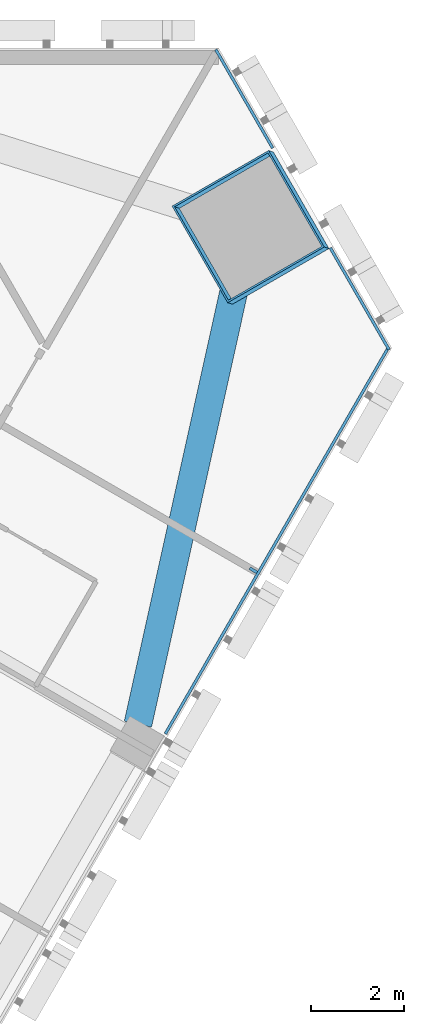
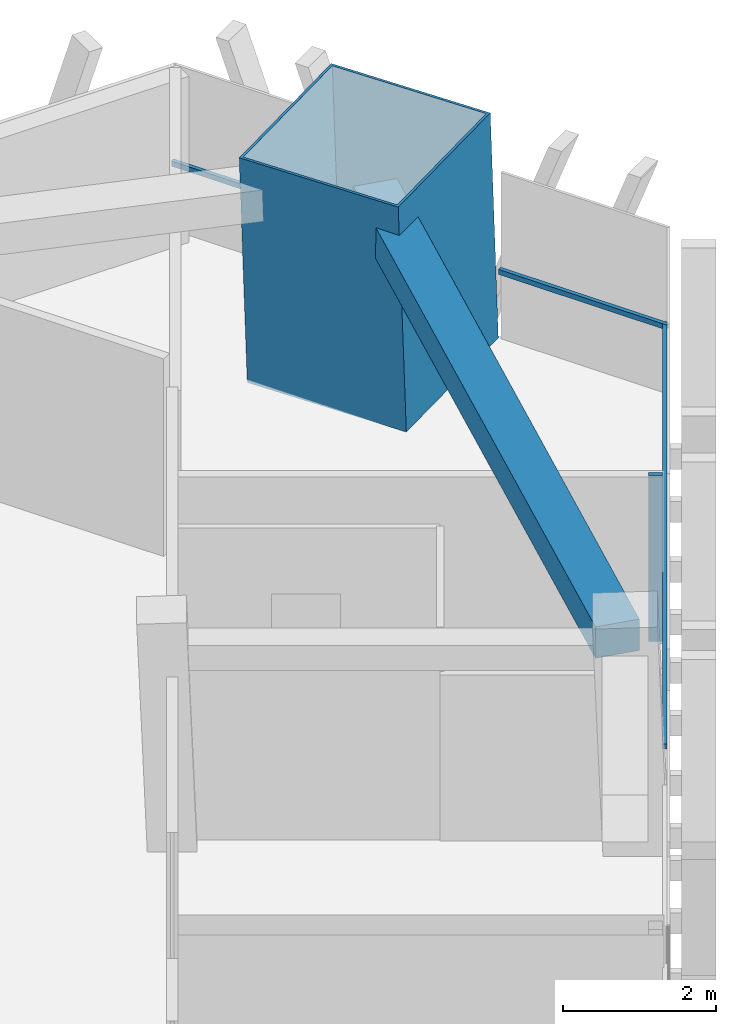
# One storey, part 7 of 16: 5 members, 1 beam, 2 elements without a shape of their own.
"""IFC4 building model written with IfcOpenShell, lengths in metres."""

import ifcopenshell
import ifcopenshell.guid

model = None  # the IFC model being written
_history = None  # IfcOwnerHistory: only IFC2X3 demands one
_inside = {}  # id of a spatial element -> (the spatial element, [elements in it])
_under = {}  # id of a project, library or spatial element -> (it, [spatial elements below it])
_declared = {}  # id of a project -> (the project, [libraries it declares])
_typed = {}  # id of a type object -> (the type object, [elements of that type])
_made_of = {}  # id of a material, layer set ... -> (it, [elements and type objects made of it])


def new_model(schema):
    """Start an empty IFC model of exactly this schema.

    Asked for "IFC4X3", IfcOpenShell would pick the latest addendum, in which some entities
    have other attributes; the version numbers below select the first issue.
    IFC2X3 requires an IfcOwnerHistory on every rooted entity: one is made here for all.
    """
    global model, _history
    if schema == "IFC4X3":
        model = ifcopenshell.file(schema_version=(4, 3, 0, 0))
    else:
        model = ifcopenshell.file(schema=schema)
    _inside.clear()
    _under.clear()
    _declared.clear()
    _typed.clear()
    _made_of.clear()
    _history = None
    if model.schema == "IFC2X3":
        org = make("IfcOrganization", Name="unknown")
        user = make(
            "IfcPersonAndOrganization",
            ThePerson=make("IfcPerson", FamilyName="unknown"),
            TheOrganization=org,
        )
        app = make(
            "IfcApplication",
            ApplicationDeveloper=org,
            Version="unknown",
            ApplicationFullName="unknown",
            ApplicationIdentifier="unknown",
        )
        _history = make(
            "IfcOwnerHistory",
            OwningUser=user,
            OwningApplication=app,
            ChangeAction="ADDED",
            CreationDate=0,
        )
    return model


def make(cls, **values):
    """One entity of the class cls with the attributes given. An attribute that is None is left unset."""
    return model.create_entity(
        cls, **{name: value for name, value in values.items() if value is not None}
    )


def rooted(cls, **values):
    """An entity with a GlobalId (a new one), such as an element, a storey or a relation."""
    return make(cls, GlobalId=ifcopenshell.guid.new(), OwnerHistory=_history, **values)


def si_unit(unit_type, name, prefix=None):
    """IfcSIUnit, for example si_unit("LENGTHUNIT", "METRE", prefix="MILLI")."""
    return make("IfcSIUnit", UnitType=unit_type, Prefix=prefix, Name=name)


def assignment(units):
    """IfcUnitAssignment: the units of a project."""
    return None if units is None else make("IfcUnitAssignment", Units=units)


def point(xyz):
    """IfcCartesianPoint."""
    return None if xyz is None else make("IfcCartesianPoint", Coordinates=xyz)


def direction(xyz):
    """IfcDirection."""
    return None if xyz is None else make("IfcDirection", DirectionRatios=xyz)


def frame(location, z_axis=None, x_axis=None):
    """IfcAxis2Placement3D, a coordinate frame: its origin and axes. An axis left out is left unset."""
    return make(
        "IfcAxis2Placement3D",
        Location=point(location),
        Axis=direction(z_axis),
        RefDirection=direction(x_axis),
    )


def frame_2d(location, x_axis=None):
    """IfcAxis2Placement2D, a coordinate frame in the plane: its origin and x axis."""
    return make(
        "IfcAxis2Placement2D", Location=point(location), RefDirection=direction(x_axis)
    )


def origin():
    """The frame at (0, 0, 0) with its axes left unset."""
    return frame((0.0, 0.0, 0.0))


def origin_2d():
    """The frame at (0, 0) in the plane with its x axis left unset."""
    return frame_2d((0.0, 0.0))


def place(relative_to, where):
    """IfcLocalPlacement: puts the frame where relative to a parent placement (None: the world)."""
    return make(
        "IfcLocalPlacement", PlacementRelTo=relative_to, RelativePlacement=where
    )


def context(
    kind, dimensions, precision=None, world=None, true_north=None, identifier=None
):
    """IfcGeometricRepresentationContext, for example the 3D "Model" context."""
    return make(
        "IfcGeometricRepresentationContext",
        ContextIdentifier=identifier,
        ContextType=kind,
        CoordinateSpaceDimension=dimensions,
        Precision=precision,
        WorldCoordinateSystem=world,
        TrueNorth=true_north,
    )


def subcontext(parent, identifier, kind, view, scale=None):
    """IfcGeometricRepresentationSubContext, for example "Body" below "Model"."""
    return make(
        "IfcGeometricRepresentationSubContext",
        ContextIdentifier=identifier,
        ContextType=kind,
        ParentContext=parent,
        TargetScale=scale,
        TargetView=view,
    )


def project(units=None, contexts=None):
    """IfcProject with its units and contexts."""
    return rooted(
        "IfcProject",
        Name="project",
        RepresentationContexts=contexts,
        UnitsInContext=assignment(units),
    )


def spatial(cls, under=None, at=None, **own):
    """A site, building, storey or space (cls), placed at a placement, below another one or the project."""
    s = rooted(cls, ObjectPlacement=at, **own)
    if under is not None:
        _under.setdefault(under.id(), (under, []))[1].append(s)
    return s


def profile(cls, at=None, kind="AREA", **sizes):
    """A parametric profile (cls). Its sizes go by their IFC names, for example OverallWidth=200.0."""
    return make(cls, ProfileType=kind, Position=at, **sizes)


def rectangle(**sizes):
    """IfcRectangleProfileDef."""
    return profile("IfcRectangleProfileDef", **sizes)


def hollow_rectangle(**sizes):
    """IfcRectangleHollowProfileDef."""
    return profile("IfcRectangleHollowProfileDef", **sizes)


def extrude(swept, where, along, depth):
    """IfcExtrudedAreaSolid: the profile swept, set in the frame where, extruded along a direction by depth."""
    return make(
        "IfcExtrudedAreaSolid",
        SweptArea=swept,
        Position=where,
        ExtrudedDirection=direction(along),
        Depth=depth,
    )


def shape(context_of_items, identifier, shape_type, items):
    """IfcShapeRepresentation: the items that make up one representation, for example the "Body"."""
    return make(
        "IfcShapeRepresentation",
        ContextOfItems=context_of_items,
        RepresentationIdentifier=identifier,
        RepresentationType=shape_type,
        Items=items,
    )


def material(Name=None, Category=None):
    """IfcMaterial."""
    return make("IfcMaterial", Name=Name, Category=Category)


def layer(
    of_material, thickness, ventilated=None, Name=None, Category=None, Priority=None
):
    """IfcMaterialLayer: one layer of a wall or slab, of a material (None: an air gap)."""
    return make(
        "IfcMaterialLayer",
        Material=of_material,
        LayerThickness=thickness,
        IsVentilated=ventilated,
        Name=Name,
        Category=Category,
        Priority=Priority,
    )


def layer_set(layers, Name=None):
    """IfcMaterialLayerSet."""
    return make("IfcMaterialLayerSet", MaterialLayers=layers, LayerSetName=Name)


def material_profile(
    of_material, cross_section, Name=None, Category=None, Priority=None
):
    """IfcMaterialProfile: a cross section and its material."""
    return make(
        "IfcMaterialProfile",
        Name=Name,
        Material=of_material,
        Profile=cross_section,
        Priority=Priority,
        Category=Category,
    )


def profile_set(profiles, Name=None, composite=None):
    """IfcMaterialProfileSet."""
    return make(
        "IfcMaterialProfileSet",
        Name=Name,
        MaterialProfiles=profiles,
        CompositeProfile=composite,
    )


def made_of(thing, what):
    """Note that an element or type object is made of a material, layer set ...; save() writes the relation."""
    if what is not None:
        _made_of.setdefault(what.id(), (what, []))[1].append(thing)
    return thing


def type_object(cls, material=None, **own):
    """A type object (cls), such as IfcWallType, which elements share."""
    return made_of(rooted(cls, **own), material)


def element(
    cls,
    number,
    at=None,
    inside=None,
    cuts=None,
    type_object=None,
    material=None,
    context=None,
    identifier="Body",
    shape_type=None,
    held_by="IfcProductDefinitionShape",
    body=None,
    shapes=None,
    **own,
):
    """One element of the class cls, such as IfcWall. Its Tag is "e" and its number.

    at: its placement. inside: the storey or other place that contains it. cuts: it is an
    opening in that element (IfcRelVoidsElement). A single representation is given by context,
    identifier, shape_type and body (its items); several are given by shapes. held_by: the class
    of the entity that holds the representations. save() writes the other relations.
    """
    e = rooted(cls, Tag="e%d" % number, ObjectPlacement=at, **own)
    if body is not None:
        shapes = [shape(context, identifier, shape_type, body)]
    if shapes is not None:
        e.Representation = make(held_by, Representations=shapes)
    if inside is not None:
        _inside.setdefault(inside.id(), (inside, []))[1].append(e)
    if cuts is not None:
        rooted(
            "IfcRelVoidsElement", RelatingBuildingElement=cuts, RelatedOpeningElement=e
        )
    if type_object is not None:
        _typed.setdefault(type_object.id(), (type_object, []))[1].append(e)
    return made_of(e, material)


def aggregate(whole, parts):
    """IfcRelAggregates: a whole, such as a stair, and the parts it consists of."""
    return rooted("IfcRelAggregates", RelatingObject=whole, RelatedObjects=parts)


def save(model, path):
    """Write the relations noted so far, then the file.

    IfcRelAggregates (storeys below a building ...), IfcRelContainedInSpatialStructure (elements
    in a storey), IfcRelDefinesByType, IfcRelAssociatesMaterial and IfcRelDeclares: one each for
    every whole, place, type object, material and project.
    """
    for whole, parts in _under.values():
        aggregate(whole, parts)
    for where, things in _inside.values():
        rooted(
            "IfcRelContainedInSpatialStructure",
            RelatedElements=things,
            RelatingStructure=where,
        )
    for kind, things in _typed.values():
        rooted("IfcRelDefinesByType", RelatedObjects=things, RelatingType=kind)
    for what, things in _made_of.values():
        rooted("IfcRelAssociatesMaterial", RelatedObjects=things, RelatingMaterial=what)
    for by, libraries in _declared.values():
        rooted("IfcRelDeclares", RelatingContext=by, RelatedDefinitions=libraries)
    model.write(path)


model = new_model("IFC4")

# Units and contexts
model_context = context("Model", 3, precision=1e-05, world=origin(), true_north=direction((0.0, 1.0)))
body_context = subcontext(model_context, "Body", "Model", "MODEL_VIEW")
ifc_project = project(units=[si_unit("LENGTHUNIT", "METRE"), si_unit("AREAUNIT", "SQUARE_METRE"), si_unit("VOLUMEUNIT", "CUBIC_METRE"), si_unit("PLANEANGLEUNIT", "RADIAN"), si_unit("MASSUNIT", "GRAM", prefix="KILO")], contexts=[model_context])

# Site, building, storey
site_placement = place(None, origin())
site = spatial("IfcSite", under=ifc_project, at=site_placement, CompositionType="ELEMENT")
building_placement = place(site_placement, origin())
building = spatial("IfcBuilding", under=site, at=building_placement, Name="Altiplano Prism Tower", CompositionType="ELEMENT")
storey_placement = place(building_placement, frame((0.0, 0.0, 145.800048828125)))
storey = spatial("IfcBuildingStorey", under=building, at=storey_placement, Name="L37", CompositionType="ELEMENT", Elevation=145.800048828125)

# Curtain wall, members
ifc_material_1 = material(Name="Aluminium and glass", Category="aluminium")
ifc_layer = layer(ifc_material_1, 0.280029296875)
ifc_layer_set = layer_set([ifc_layer], Name="Aluminium and glass")
curtain_wall_type = type_object("IfcCurtainWallType", Name="CW1 typical co-living unitised curtain wall", PredefinedType="NOTDEFINED", material=ifc_layer_set)
curtain_wall_1_placement = place(storey_placement, origin())
curtain_wall_1 = element("IfcCurtainWall", 1, at=curtain_wall_1_placement, inside=storey, type_object=curtain_wall_type, Name="CW1 curtain wall south-east face L37", PredefinedType="NOTDEFINED")
ifc_material_2 = material(Name="Aluminium", Category="aluminium")
ifc_material_profile_1 = material_profile(ifc_material_2, rectangle(XDim=0.179931640625, YDim=0.06494140625, at=origin_2d()), Name="CW1 mullion 65 x 180")
ifc_profile_set_1 = profile_set([ifc_material_profile_1], Name="Aluminium")
member_type_1 = type_object("IfcMemberType", Name="CW1 mullion 65 x 180", PredefinedType="MULLION", material=ifc_profile_set_1)
member_1_placement = place(storey_placement, frame((109.38232421875, 93.75537109375, 0.0), z_axis=(0.0, 0.0, 1.0), x_axis=(-0.866025402249, 0.50000000266, 0.0)))
member_1 = element("IfcMember", 2, at=member_1_placement, type_object=member_type_1, Name="CW1 mullion", PredefinedType="MULLION", context=body_context, shape_type="SweptSolid", body=[
    extrude(rectangle(XDim=0.179931640625, YDim=0.06494140625, at=origin_2d()), origin(), (0.0, 0.0, 1.0), 2.64990234375),
])
ifc_material_profile_2 = material_profile(ifc_material_2, rectangle(XDim=0.06005859375, YDim=0.080078125, at=origin_2d()), Name="CW1 transom 80 x 60")
ifc_profile_set_2 = profile_set([ifc_material_profile_2], Name="Aluminium")
member_type_2 = type_object("IfcMemberType", Name="CW1 transom 80 x 60", PredefinedType="USERDEFINED", material=ifc_profile_set_2)
member_2_placement = place(storey_placement, frame((107.488525390625, 90.2353515625, 1.099853515625), z_axis=(0.500008497191, 0.866020497873, 0.0), x_axis=(-0.866020497873, 0.500008497191, 0.0)))
member_2 = element("IfcMember", 3, at=member_2_placement, type_object=member_type_2, Name="CW1 transom", ObjectType="TRANSOM", PredefinedType="USERDEFINED", context=body_context, shape_type="SweptSolid", body=[
    extrude(rectangle(XDim=0.06005859375, YDim=0.080078125, at=origin_2d()), origin(), (0.0, 0.0, 1.0), 9.629150390625),
])
aggregate(curtain_wall_1, [member_1, member_2])

curtain_wall_2_placement = place(storey_placement, origin())
curtain_wall_2 = element("IfcCurtainWall", 4, at=curtain_wall_2_placement, inside=storey, type_object=curtain_wall_type, Name="CW1 curtain wall north-east chamfer L37", PredefinedType="NOTDEFINED")
member_3_placement = place(storey_placement, frame((112.30322265625, 98.50439453125, 1.099853515625), z_axis=(-0.500020359676, 0.866013648801, 0.0), x_axis=(-0.866013648801, -0.500020359676, 0.0)))
member_3 = element("IfcMember", 5, at=member_3_placement, type_object=member_type_2, Name="CW1 transom", ObjectType="TRANSOM", PredefinedType="USERDEFINED", context=body_context, shape_type="SweptSolid", body=[
    extrude(rectangle(XDim=0.06005859375, YDim=0.080078125, at=origin_2d()), origin(), (0.0, 0.0, 1.0), 2.5302734375),
])
member_4_placement = place(storey_placement, frame((109.798095703125, 102.84326171875, 1.099853515625), z_axis=(-0.499943856944, 0.866057815567, 0.0), x_axis=(-0.866057815567, -0.499943856944, 0.0)))
member_4 = element("IfcMember", 6, at=member_4_placement, type_object=member_type_2, Name="CW1 transom", ObjectType="TRANSOM", PredefinedType="USERDEFINED", context=body_context, shape_type="SweptSolid", body=[
    extrude(rectangle(XDim=0.06005859375, YDim=0.080078125, at=origin_2d()), origin(), (0.0, 0.0, 1.0), 2.449951171875),
])
aggregate(curtain_wall_2, [member_3, member_4])

# Beam
ifc_material_3 = material(Name="Concrete C60/75", Category="concrete")
ifc_material_profile_3 = material_profile(ifc_material_3, rectangle(XDim=0.60009765625, YDim=0.5, at=origin_2d()), Name="Edge beam 600x500")
ifc_profile_set_3 = profile_set([ifc_material_profile_3], Name="Concrete C60/75")
beam_type = type_object("IfcBeamType", Name="Edge beam 600x500", PredefinedType="SPANDREL", material=ifc_profile_set_3)
beam_placement = place(storey_placement, frame((106.897705078125, 90.44482421875, 2.89990234375), z_axis=(0.216357770192, 0.976314147843, 0.0), x_axis=(-0.976314147843, 0.216357770192, 0.0)))
element("IfcBeam", 7, at=beam_placement, inside=storey, type_object=beam_type, Name="Edge beam P24-M2 L38", PredefinedType="SPANDREL", context=body_context, shape_type="SweptSolid", body=[
    extrude(rectangle(XDim=0.60009765625, YDim=0.5, at=origin_2d()), origin(), (0.0, 0.0, 1.0), 10.517822265625),
])

# Member
ifc_material_4 = material(Name="Steel S460", Category="steel")
ifc_material_profile_4 = material_profile(ifc_material_4, hollow_rectangle(XDim=2.39990234375, YDim=2.39990234375, WallThickness=0.0400390625, at=origin_2d()), Name="Mega column tube 2400")
ifc_profile_set_4 = profile_set([ifc_material_profile_4], Name="Steel S460")
member_type_3 = type_object("IfcMemberType", Name="Mega column tube 2400", PredefinedType="POST", material=ifc_profile_set_4)
member_5_placement = place(storey_placement, frame((109.373046875, 101.11962890625, 0.0), z_axis=(-0.028403721265, 0.009287135593, 0.999553389135), x_axis=(0.498883801201, -0.866383831898, 0.022226307065)))
element("IfcMember", 8, at=member_5_placement, inside=storey, type_object=member_type_3, Name="Mega column tube M2 L37", PredefinedType="POST", context=body_context, shape_type="SweptSolid", body=[
    extrude(hollow_rectangle(XDim=2.39990234375, YDim=2.39990234375, WallThickness=0.0400390625, at=origin_2d()), origin(), (0.0, 0.0, 1.0), 3.6015625),
])

save(model, "model.ifc")
